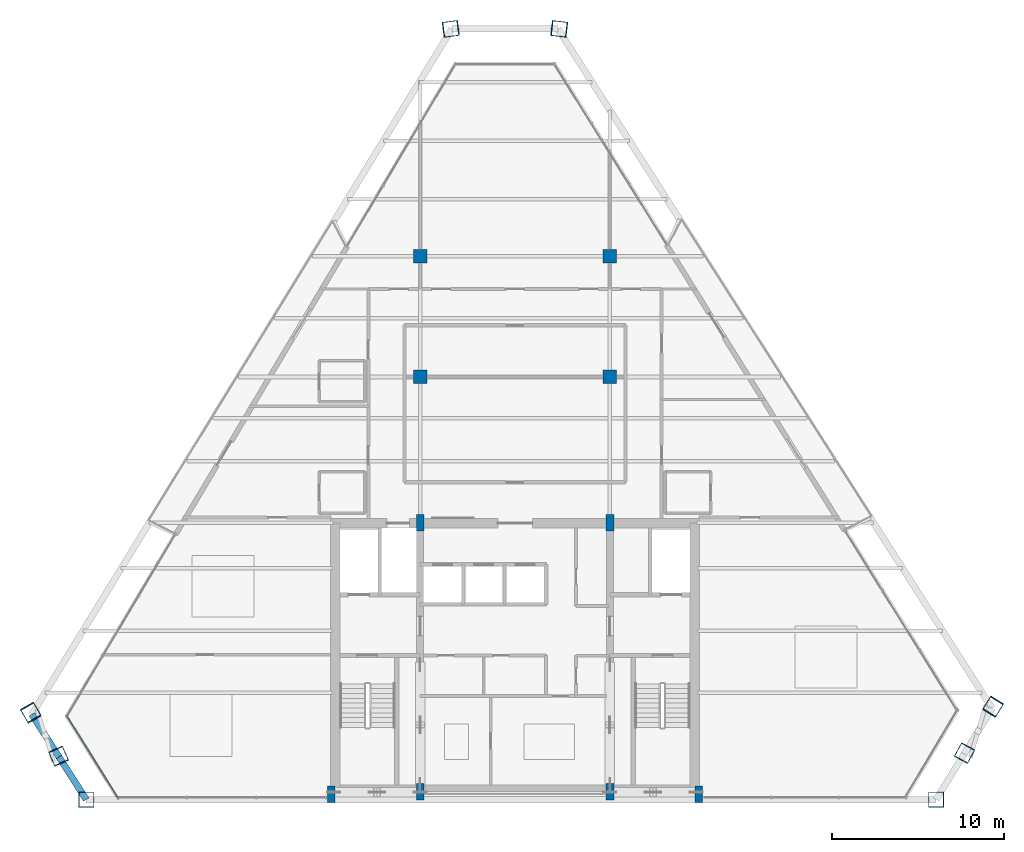
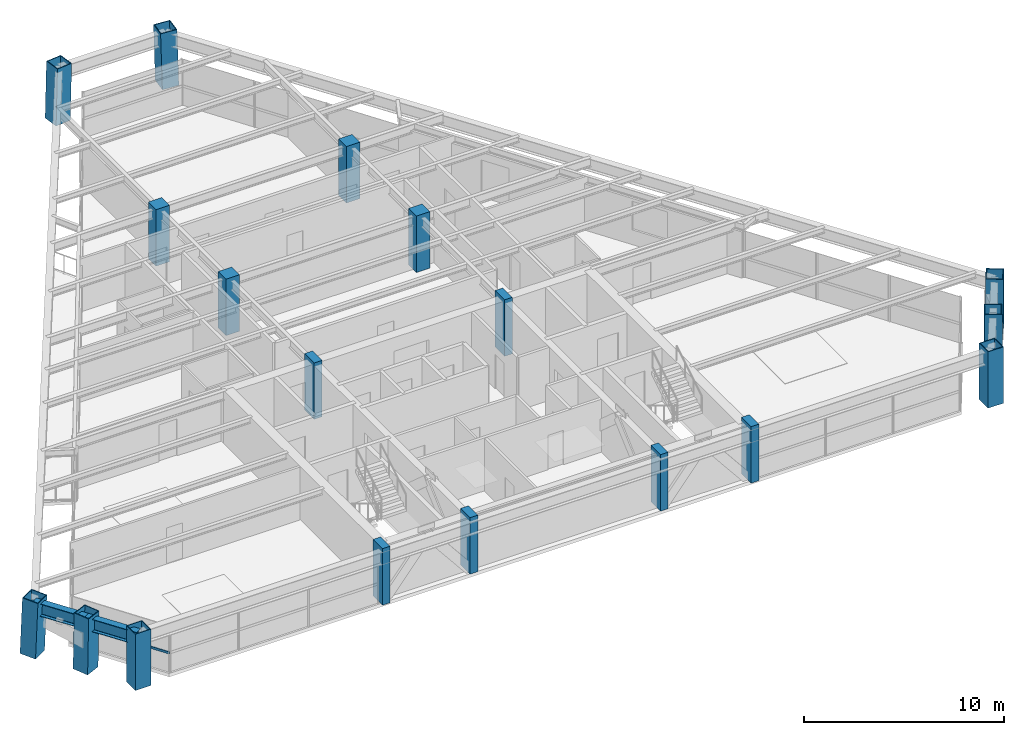
# One storey, part 1 of 12: 18 columns, 2 beams, 1 member, 1 element without a shape of its own.
"""IFC4 building model written with IfcOpenShell, lengths in metres."""

from ifc_helpers import new_model, si_unit, direction, frame, origin, origin_2d, place, context, subcontext, project, spatial, rectangle, hollow_rectangle, i_section, extrude, source, transform, mapped, material, material_profile, profile_set, type_object, element, aggregate, save


model = new_model("IFC4")

# Units and contexts
model_context = context("Model", 3, precision=1e-05, world=origin(), true_north=direction((0.0, 1.0)))
body_context = subcontext(model_context, "Body", "Model", "MODEL_VIEW")
ifc_project = project(units=[si_unit("LENGTHUNIT", "METRE"), si_unit("AREAUNIT", "SQUARE_METRE"), si_unit("VOLUMEUNIT", "CUBIC_METRE"), si_unit("PLANEANGLEUNIT", "RADIAN"), si_unit("MASSUNIT", "GRAM", prefix="KILO")], contexts=[model_context])

# Site, building, storey
site_placement = place(None, origin())
site = spatial("IfcSite", under=ifc_project, at=site_placement, CompositionType="ELEMENT")
building_placement = place(site_placement, origin())
building = spatial("IfcBuilding", under=site, at=building_placement, Name="Varnakhor Terracotta Tower", CompositionType="ELEMENT")
storey_placement = place(building_placement, frame((0.0, 0.0, 226.89990234375)))
storey = spatial("IfcBuildingStorey", under=building, at=storey_placement, Name="L58", CompositionType="ELEMENT", Elevation=226.89990234375)

# Columns
ifc_material_1 = material(Name="Concrete C50/60", Category="concrete")
ifc_material_profile_1 = material_profile(ifc_material_1, rectangle(XDim=0.449951171875, YDim=0.949951171875, at=origin_2d()), Name="RC PILASTER 950x450")
ifc_profile_set_1 = profile_set([ifc_material_profile_1], Name="Concrete C50/60")
column_type_1 = type_object("IfcColumnType", Name="COL-PIL-950x450", PredefinedType="PILASTER", material=ifc_profile_set_1)
shared_shape_1 = source(origin(), body_context, "Body", "SweptSolid", [
    extrude(rectangle(XDim=0.449951171875, YDim=0.949951171875, at=origin_2d()), origin(), (0.0, 0.0, 1.0), 3.4501953125),
])
for number, where, z_axis, x_axis, name in (
    (1, (-10.64990234375, 0.300048828125, 0.0), (0.0, 0.0, 1.0), (1.0, 0.0, 0.0), "L58 Core Pilaster CP1"),
    (2, (-5.5, 0.449951171875, 0.0), (0.0, 0.0, 1.0), (1.0, 0.0, 0.0), "L58 Core Pilaster CP2"),
    (3, (5.5, 0.449951171875, 0.0), (0.0, 0.0, 1.0), (1.0, 0.0, 0.0), "L58 Core Pilaster CP3"),
    (4, (10.64990234375, 0.300048828125, 0.0), (0.0, 0.0, 1.0), (1.0, 0.0, 0.0), "L58 Core Pilaster CP4"),
    (5, (-5.5, 16.050048828125, 0.0), (0.0, 0.0, 1.0), (1.0, 0.0, 0.0), "L58 Core Pilaster CP5"),
    (6, (5.5, 16.050048828125, 0.0), (0.0, 0.0, 1.0), (1.0, 0.0, 0.0), "L58 Core Pilaster CP6"),
):
    element("IfcColumn", number, at=place(storey_placement, frame(where, z_axis=z_axis, x_axis=x_axis)), inside=storey, type_object=column_type_1, Name=name, PredefinedType="PILASTER", context=body_context, shape_type="MappedRepresentation", body=[
        mapped(shared_shape_1, transform((0.0, 0.0, 0.0), scale=1.0)),
    ])
ifc_material_2 = material(Name="Steel S460", Category="steel")
ifc_material_profile_2 = material_profile(ifc_material_2, hollow_rectangle(XDim=0.89990234375, YDim=0.89990234375, WallThickness=0.044921875, at=origin_2d()), Name="BOX 900x900x45")
ifc_profile_set_2 = profile_set([ifc_material_profile_2], Name="Steel S460")
column_type_2 = type_object("IfcColumnType", Name="COL-MEGA-900", PredefinedType="COLUMN", material=ifc_profile_set_2)
shared_shape_2 = source(origin(), body_context, "Body", "SweptSolid", [
    extrude(hollow_rectangle(XDim=0.89990234375, YDim=0.89990234375, WallThickness=0.044921875, at=origin_2d()), origin(), (0.0, 0.0, 1.0), 3.442138671875),
])
for number, where, z_axis, x_axis, name in (
    (7, (26.069580078125, 2.702880859375, 0.00439453125), (-0.009008030839, -0.016668403521, 0.999820493741), (0.879748834705, -0.475438731947, 0.0), "L58 Perimeter Mega-Column M3"),
    (8, (-26.46435546875, 2.529296875, 0.00439453125), (0.007873111875, -0.01759037608, 0.999814279143), (0.912746030738, 0.408527457306, 0.0), "L58 Perimeter Mega-Column M8"),
):
    element("IfcColumn", number, at=place(storey_placement, frame(where, z_axis=z_axis, x_axis=x_axis)), inside=storey, type_object=column_type_2, Name=name, PredefinedType="COLUMN", context=body_context, shape_type="MappedRepresentation", body=[
        mapped(shared_shape_2, transform((0.0, 0.0, 0.0), scale=1.0)),
    ])
shared_shape_3 = source(origin(), body_context, "Body", "SweptSolid", [
    extrude(hollow_rectangle(XDim=0.89990234375, YDim=0.89990234375, WallThickness=0.044921875, at=origin_2d()), origin(), (0.0, 0.0, 1.0), 3.444091796875),
])
column_1_placement = place(storey_placement, frame((27.73046875, 5.405517578125, 0.00439453125), z_axis=(-0.020557488986, -0.033246421842, 0.999235740494), x_axis=(0.850535574195, -0.525917519225, 0.0)))
element("IfcColumn", 9, at=column_1_placement, inside=storey, type_object=column_type_2, Name="L58 Perimeter Mega-Column M4", PredefinedType="COLUMN", context=body_context, shape_type="MappedRepresentation", body=[
    mapped(shared_shape_3, transform((0.0, 0.0, 0.0), scale=1.0)),
])
shared_shape_4 = source(origin(), body_context, "Body", "SweptSolid", [
    extrude(hollow_rectangle(XDim=0.89990234375, YDim=0.89990234375, WallThickness=0.044921875, at=origin_2d()), origin(), (0.0, 0.0, 1.0), 3.442626953125),
])
column_2_placement = place(storey_placement, frame((2.579345703125, 44.678955078125, 0.00439453125), z_axis=(-0.027727552937, 0.003262065051, 0.999610194896), x_axis=(-0.116841247567, -0.993150604323, 0.0)))
element("IfcColumn", 10, at=column_2_placement, inside=storey, type_object=column_type_2, Name="L58 Perimeter Mega-Column M5", PredefinedType="COLUMN", context=body_context, shape_type="MappedRepresentation", body=[
    mapped(shared_shape_4, transform((0.0, 0.0, 0.0), scale=1.0)),
])
shared_shape_5 = source(origin(), body_context, "Body", "SweptSolid", [
    extrude(hollow_rectangle(XDim=0.89990234375, YDim=0.89990234375, WallThickness=0.044921875, at=origin_2d()), origin(), (0.0, 0.0, 1.0), 3.44140625),
])
for number, where, z_axis, x_axis, name in (
    (11, (-24.8447265625, 0.0, 0.00439453125), (-0.004327428266, 0.0, 0.999990636638), (0.0, -1.0, 0.0), "L58 Perimeter Mega-Column M1"),
    (12, (24.408935546875, 0.0, 0.00439453125), (0.002412024766, 0.0, 0.999997091064), (0.0, 1.0, 0.0), "L58 Perimeter Mega-Column M2"),
):
    element("IfcColumn", number, at=place(storey_placement, frame(where, z_axis=z_axis, x_axis=x_axis)), inside=storey, type_object=column_type_2, Name=name, PredefinedType="COLUMN", context=body_context, shape_type="MappedRepresentation", body=[
        mapped(shared_shape_5, transform((0.0, 0.0, 0.0), scale=1.0)),
    ])
shared_shape_6 = source(origin(), body_context, "Body", "SweptSolid", [
    extrude(hollow_rectangle(XDim=0.89990234375, YDim=0.89990234375, WallThickness=0.044921875, at=origin_2d()), origin(), (0.0, 0.0, 1.0), 3.4423828125),
])
column_3_placement = place(storey_placement, frame((-3.738525390625, 44.678955078125, 0.00439453125), z_axis=(0.024467570863, 0.003262342782, 0.999695301127), x_axis=(-0.132163720091, 0.991227900683, 0.0)))
element("IfcColumn", 13, at=column_3_placement, inside=storey, type_object=column_type_2, Name="L58 Perimeter Mega-Column M6", PredefinedType="COLUMN", context=body_context, shape_type="MappedRepresentation", body=[
    mapped(shared_shape_6, transform((0.0, 0.0, 0.0), scale=1.0)),
])
shared_shape_7 = source(origin(), body_context, "Body", "SweptSolid", [
    extrude(hollow_rectangle(XDim=0.89990234375, YDim=0.89990234375, WallThickness=0.044921875, at=origin_2d()), origin(), (0.0, 0.0, 1.0), 3.4443359375),
])
column_4_placement = place(storey_placement, frame((-28.083984375, 5.058349609375, 0.00439453125), z_axis=(0.020060212644, -0.035087651092, 0.999182888469), x_axis=(0.868135194906, 0.4963277983, 0.0)))
element("IfcColumn", 14, at=column_4_placement, inside=storey, type_object=column_type_2, Name="L58 Perimeter Mega-Column M7", PredefinedType="COLUMN", context=body_context, shape_type="MappedRepresentation", body=[
    mapped(shared_shape_7, transform((0.0, 0.0, 0.0), scale=1.0)),
])
ifc_material_profile_3 = material_profile(ifc_material_1, rectangle(XDim=0.780029296875, YDim=0.780029296875, at=origin_2d()), Name="RC 780x780")
ifc_profile_set_3 = profile_set([ifc_material_profile_3], Name="Concrete C50/60")
column_type_3 = type_object("IfcColumnType", Name="COL-RC-780", PredefinedType="COLUMN", material=ifc_profile_set_3)
shared_shape_8 = source(origin(), body_context, "Body", "SweptSolid", [
    extrude(rectangle(XDim=0.780029296875, YDim=0.780029296875, at=origin_2d()), origin(), (0.0, 0.0, 1.0), 3.4501953125),
])
for number, where, z_axis, x_axis, name in (
    (15, (-5.5, 24.5, 0.0), (0.0, 0.0, 1.0), (1.0, 0.0, 0.0), "L58 Interior Tower Column IC1"),
    (16, (5.5, 24.5, 0.0), (0.0, 0.0, 1.0), (1.0, 0.0, 0.0), "L58 Interior Tower Column IC2"),
    (17, (-5.5, 31.5, 0.0), (0.0, 0.0, 1.0), (1.0, 0.0, 0.0), "L58 Interior Tower Column IC3"),
    (18, (5.5, 31.5, 0.0), (0.0, 0.0, 1.0), (1.0, 0.0, 0.0), "L58 Interior Tower Column IC4"),
):
    element("IfcColumn", number, at=place(storey_placement, frame(where, z_axis=z_axis, x_axis=x_axis)), inside=storey, type_object=column_type_3, Name=name, PredefinedType="COLUMN", context=body_context, shape_type="MappedRepresentation", body=[
        mapped(shared_shape_8, transform((0.0, 0.0, 0.0), scale=1.0)),
    ])

# Beams
ifc_material_3 = material(Name="Steel S355", Category="steel")
ifc_material_profile_4 = material_profile(ifc_material_3, i_section(OverallWidth=0.381103515625, OverallDepth=0.77294921875, WebThickness=0.01708984375, FlangeThickness=0.027099609375, FilletRadius=0.01806640625, at=origin_2d()), Name="W30X173")
ifc_profile_set_4 = profile_set([ifc_material_profile_4], Name="Steel S355")
beam_type = type_object("IfcBeamType", Name="BM-W30X173", PredefinedType="BEAM", material=ifc_profile_set_4)
shared_shape_9 = source(origin(), body_context, "Body", "SweptSolid", [
    extrude(i_section(OverallWidth=0.381103515625, OverallDepth=0.77294921875, WebThickness=0.01708984375, FlangeThickness=0.027099609375, FilletRadius=0.01806640625, at=origin_2d()), origin(), (0.0, 0.0, 1.0), 2.9296875),
])
for number, where, z_axis, x_axis, name in (
    (19, (-28.014892578125, 4.9375, 2.853515625), (0.538481325492, -0.842637444039, 0.0), (0.842637444039, 0.538481325492, 0.0), "L58 Perimeter Spandrel 7"),
    (20, (-26.437255859375, 2.46875, 2.853515625), (0.538481325492, -0.842637444039, 0.0), (0.842637444039, 0.538481325492, 0.0), "L58 Perimeter Spandrel 8"),
):
    element("IfcBeam", number, at=place(storey_placement, frame(where, z_axis=z_axis, x_axis=x_axis)), inside=storey, type_object=beam_type, Name=name, PredefinedType="BEAM", context=body_context, shape_type="MappedRepresentation", body=[
        mapped(shared_shape_9, transform((0.0, 0.0, 0.0), scale=1.0)),
    ])

# Curtain wall, member
ifc_material_4 = material(Name="Anodised Aluminium Curtain Wall System", Category="aluminium")
curtain_wall_type = type_object("IfcCurtainWallType", Name="CW-SYS-HOTEL-LOGGIA", PredefinedType="NOTDEFINED", material=ifc_material_4)
curtain_wall_placement = place(storey_placement, origin())
curtain_wall = element("IfcCurtainWall", 21, at=curtain_wall_placement, inside=storey, type_object=curtain_wall_type, Name="L58 Facet Curtain Wall 6", PredefinedType="NOTDEFINED")
ifc_material_5 = material(Name="Anodised Aluminium 6063-T6", Category="aluminium")
ifc_material_profile_5 = material_profile(ifc_material_5, rectangle(XDim=0.06494140625, YDim=0.14501953125, at=origin_2d()), Name="ALU TRANSOM 65x145")
ifc_profile_set_5 = profile_set([ifc_material_profile_5], Name="Anodised Aluminium 6063-T6")
member_type = type_object("IfcMemberType", Name="CWT-04", PredefinedType="USERDEFINED", material=ifc_profile_set_5)
shared_shape_10 = source(origin(), body_context, "Body", "SweptSolid", [
    extrude(rectangle(XDim=0.06494140625, YDim=0.14501953125, at=origin_2d()), origin(), (0.0, 0.0, 1.0), 5.642333984375),
])
member_placement = place(storey_placement, frame((-23.00634765625, 0.0888671875, 1.1845703125), z_axis=(-0.528835522516, 0.848724331055, 0.0), x_axis=(-0.848724331055, -0.528835522516, 0.0)))
member = element("IfcMember", 22, at=member_placement, type_object=member_type, Name="L58 Facet Curtain Wall 6 Transom 1", ObjectType="TRANSOM", PredefinedType="USERDEFINED", context=body_context, shape_type="MappedRepresentation", body=[
    mapped(shared_shape_10, transform((0.0, 0.0, 0.0), scale=1.0)),
])
aggregate(curtain_wall, [member])

save(model, "model.ifc")
